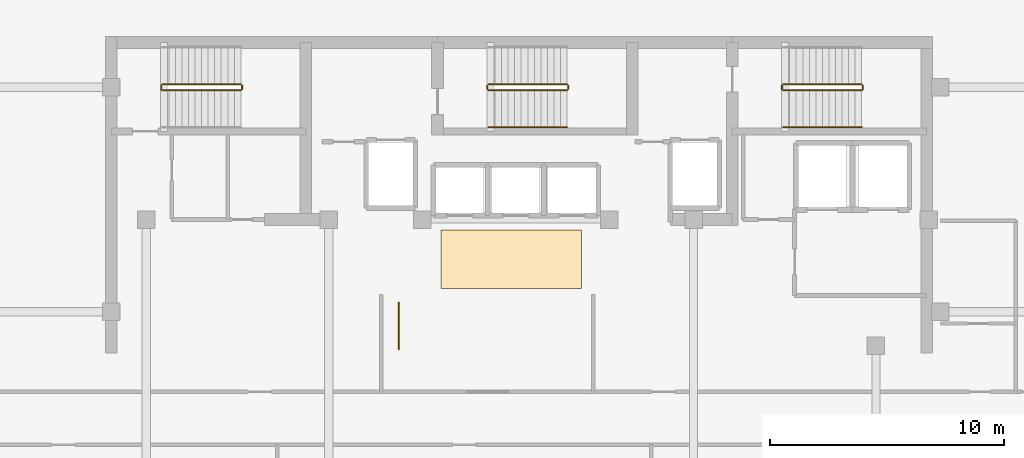
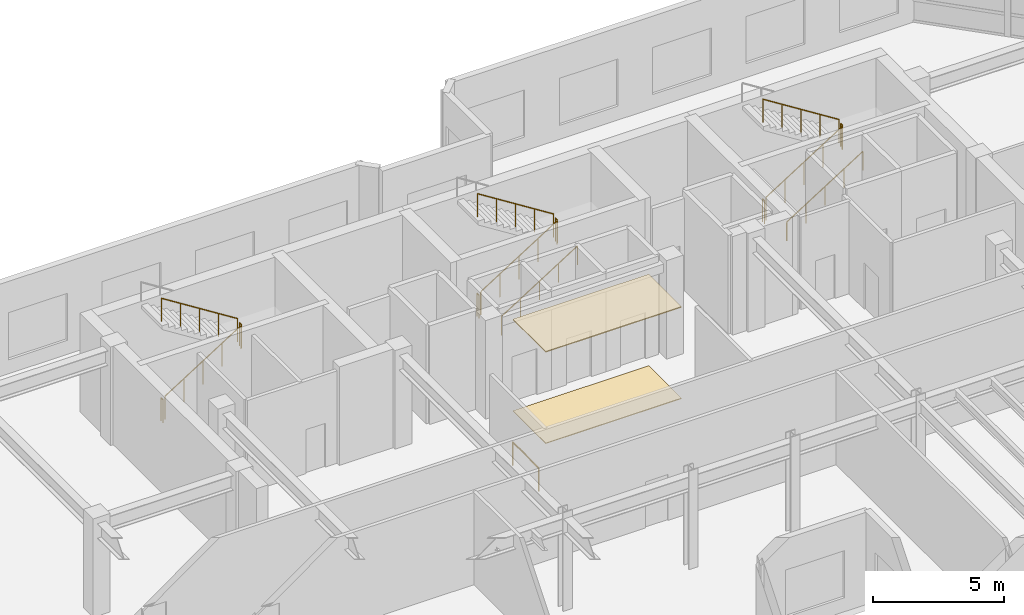
# One storey, part 11 of 12: 15 railings, 2 coverings.
"""IFC4 building model written with IfcOpenShell, lengths in metres."""

from ifc_helpers import new_model, si_unit, direction, frame, origin, origin_2d, place, context, subcontext, project, spatial, polyline, circle, outline, extrude, material, layer, layer_set, type_object, element, save


model = new_model("IFC4")

# Units and contexts
model_context = context("Model", 3, precision=1e-05, world=origin(), true_north=direction((0.0, 1.0)))
body_context = subcontext(model_context, "Body", "Model", "MODEL_VIEW")
ifc_project = project(units=[si_unit("LENGTHUNIT", "METRE"), si_unit("AREAUNIT", "SQUARE_METRE"), si_unit("VOLUMEUNIT", "CUBIC_METRE"), si_unit("PLANEANGLEUNIT", "RADIAN"), si_unit("MASSUNIT", "GRAM", prefix="KILO")], contexts=[model_context])

# Site, building, storey
site_placement = place(None, origin())
site = spatial("IfcSite", under=ifc_project, at=site_placement, CompositionType="ELEMENT")
building_placement = place(site_placement, origin())
building = spatial("IfcBuilding", under=site, at=building_placement, Name="Kestravale Grand Hotel", CompositionType="ELEMENT")
storey_placement = place(building_placement, frame((0.0, 0.0, 302.0)))
storey = spatial("IfcBuildingStorey", under=building, at=storey_placement, Name="L75", CompositionType="ELEMENT", Elevation=302.0)

# Coverings
ifc_material_1 = material(Name="Perforated gypsum and mineral-fibre acoustic ceiling", Category="other")
ifc_layer_1 = layer(ifc_material_1, 0.044921875)
ifc_layer_set_1 = layer_set([ifc_layer_1], Name="COV-INT-CEIL")
covering_type_1 = type_object("IfcCoveringType", Name="COV-INT-CEIL", PredefinedType="CEILING", material=ifc_layer_set_1)
covering_1_placement = place(storey_placement, frame((0.0, 0.0, 4.264892578125)))
element("IfcCovering", 1, at=covering_1_placement, inside=storey, type_object=covering_type_1, Name="L75 elevator lobby acoustic coffered ceiling", PredefinedType="CEILING", context=body_context, shape_type="SweptSolid", body=[
    extrude(outline(polyline([(36.0, 29.800048828125), (42.0, 29.800048828125), (42.0, 32.300048828125), (36.0, 32.300048828125), (36.0, 29.800048828125)])), origin(), (0.0, 0.0, 1.0), 0.045166015625),
])
ifc_material_2 = material(Name="Polished Art Deco brass-inlaid terrazzo flooring", Category="masonry")
ifc_layer_2 = layer(ifc_material_2, 0.034912109375)
ifc_layer_set_2 = layer_set([ifc_layer_2], Name="COV-INT-TERZ")
covering_type_2 = type_object("IfcCoveringType", Name="COV-INT-TERZ", PredefinedType="FLOORING", material=ifc_layer_set_2)
covering_2_placement = place(storey_placement, origin())
element("IfcCovering", 2, at=covering_2_placement, inside=storey, type_object=covering_type_2, Name="L75 elevator lobby brass-inlaid terrazzo floor", PredefinedType="FLOORING", context=body_context, shape_type="SweptSolid", body=[
    extrude(outline(polyline([(36.0, 29.800048828125), (42.0, 29.800048828125), (42.0, 32.300048828125), (36.0, 32.300048828125), (36.0, 29.800048828125)])), origin(), (0.0, 0.0, 1.0), 0.034912109375),
])

# Railings
ifc_material_3 = material(Name="Art Deco fluted bronze interior gallery balustrade", Category="steel")
railing_type_1 = type_object("IfcRailingType", Name="RL-INT-BAL1100", PredefinedType="BALUSTRADE", material=ifc_material_3)
railing_1_placement = place(storey_placement, frame((34.199951171875, 27.199951171875, 0.0)))
element("IfcRailing", 3, at=railing_1_placement, inside=storey, type_object=railing_type_1, Name="L75 Art Deco bronze concourse balustrade", PredefinedType="BALUSTRADE", context=body_context, shape_type="SweptSolid", body=[
    extrude(circle(Radius=0.02392578125, at=origin_2d()), frame((0.0, 0.0, 1.076171875), z_axis=(0.0, 1.0, 0.0), x_axis=(-1.0, 0.0, 0.0)), (0.0, 0.0, 1.0), 2.0),
    extrude(circle(Radius=0.02099609375, at=origin_2d()), origin(), (0.0, 0.0, 1.0), 1.052001953125),
    extrude(circle(Radius=0.02099609375, at=origin_2d()), frame((0.0, 2.0, 0.0)), (0.0, 0.0, 1.0), 1.052001953125),
])
ifc_material_4 = material(Name="Painted tubular steel stair well guard", Category="steel")
railing_type_2 = type_object("IfcRailingType", Name="RL-ST-GRD1100", PredefinedType="GUARDRAIL", material=ifc_material_4)
railing_2_placement = place(storey_placement, frame((24.080078125, 38.280029296875, 0.177001953125)))
element("IfcRailing", 4, at=railing_2_placement, inside=storey, type_object=railing_type_2, Name="L75 ST-1 stair guard 1", PredefinedType="GUARDRAIL", context=body_context, shape_type="SweptSolid", body=[
    extrude(circle(Radius=0.02392578125, at=origin_2d()), frame((0.0, 0.0, 1.076171875), z_axis=(0.845372108799, 0.0, 0.534177870812), x_axis=(0.0, 1.0, 0.0)), (0.0, 0.0, 1.0), 3.974365234375),
    extrude(circle(Radius=0.02099609375, at=origin_2d()), origin(), (0.0, 0.0, 1.0), 1.052001953125),
    extrude(circle(Radius=0.02099609375, at=origin_2d()), frame((0.83984375, 0.0, 0.53076171875)), (0.0, 0.0, 1.0), 1.052001953125),
    extrude(circle(Radius=0.02099609375, at=origin_2d()), frame((1.679931640625, 0.0, 1.0615234375)), (0.0, 0.0, 1.0), 1.052001953125),
    extrude(circle(Radius=0.02099609375, at=origin_2d()), frame((2.52001953125, 0.0, 1.59228515625)), (0.0, 0.0, 1.0), 1.052001953125),
    extrude(circle(Radius=0.02099609375, at=origin_2d()), frame((3.35986328125, 0.0, 2.123046875)), (0.0, 0.0, 1.0), 1.052001953125),
])
railing_3_placement = place(storey_placement, frame((27.489990234375, 38.330078125, 2.300048828125)))
element("IfcRailing", 5, at=railing_3_placement, inside=storey, type_object=railing_type_2, Name="L75 ST-1 stair guard 2", PredefinedType="GUARDRAIL", context=body_context, shape_type="SweptSolid", body=[
    extrude(circle(Radius=0.02392578125, at=origin_2d()), frame((0.0, 0.0, 1.076171875), z_axis=(0.0, 1.0, 0.0), x_axis=(-1.0, 0.0, 0.0)), (0.0, 0.0, 1.0), 0.14990234375),
    extrude(circle(Radius=0.02099609375, at=origin_2d()), origin(), (0.0, 0.0, 1.0), 1.052001953125),
    extrude(circle(Radius=0.02099609375, at=origin_2d()), frame((0.0, 0.14990234375, 0.0)), (0.0, 0.0, 1.0), 1.052001953125),
])
railing_4_placement = place(storey_placement, frame((27.43994140625, 38.530029296875, 2.476806640625)))
element("IfcRailing", 6, at=railing_4_placement, inside=storey, type_object=railing_type_2, Name="L75 ST-1 stair guard 3", PredefinedType="GUARDRAIL", context=body_context, shape_type="SweptSolid", body=[
    extrude(circle(Radius=0.02392578125, at=origin_2d()), frame((0.0, 0.0, 1.076171875), z_axis=(-0.845344368971, 0.0, 0.534221768416), x_axis=(0.0, -1.0, 0.0)), (0.0, 0.0, 1.0), 3.974609375),
    extrude(circle(Radius=0.02099609375, at=origin_2d()), origin(), (0.0, 0.0, 1.0), 1.052001953125),
    extrude(circle(Radius=0.02099609375, at=origin_2d()), frame((-0.83984375, 0.0, 0.53076171875)), (0.0, 0.0, 1.0), 1.052001953125),
    extrude(circle(Radius=0.02099609375, at=origin_2d()), frame((-1.679931640625, 0.0, 1.0615234375)), (0.0, 0.0, 1.0), 1.052001953125),
    extrude(circle(Radius=0.02099609375, at=origin_2d()), frame((-2.52001953125, 0.0, 1.592529296875)), (0.0, 0.0, 1.0), 1.052001953125),
    extrude(circle(Radius=0.02099609375, at=origin_2d()), frame((-3.35986328125, 0.0, 2.123291015625)), (0.0, 0.0, 1.0), 1.052001953125),
])
railing_5_placement = place(storey_placement, frame((24.030029296875, 38.330078125, 0.0)))
element("IfcRailing", 7, at=railing_5_placement, inside=storey, type_object=railing_type_2, Name="L75 ST-1 stair guard 4", PredefinedType="GUARDRAIL", context=body_context, shape_type="SweptSolid", body=[
    extrude(circle(Radius=0.02392578125, at=origin_2d()), frame((0.0, 0.0, 1.076171875), z_axis=(0.0, 1.0, 0.0), x_axis=(-1.0, 0.0, 0.0)), (0.0, 0.0, 1.0), 0.14990234375),
    extrude(circle(Radius=0.02099609375, at=origin_2d()), origin(), (0.0, 0.0, 1.0), 1.052001953125),
    extrude(circle(Radius=0.02099609375, at=origin_2d()), frame((0.0, 0.14990234375, 0.0)), (0.0, 0.0, 1.0), 1.052001953125),
])
railing_6_placement = place(storey_placement, frame((38.030029296875, 38.280029296875, 0.177001953125)))
element("IfcRailing", 8, at=railing_6_placement, inside=storey, type_object=railing_type_2, Name="L75 ST-2 stair guard 1", PredefinedType="GUARDRAIL", context=body_context, shape_type="SweptSolid", body=[
    extrude(circle(Radius=0.02392578125, at=origin_2d()), frame((0.0, 0.0, 1.076171875), z_axis=(0.845372108799, 0.0, 0.534177870812), x_axis=(0.0, 1.0, 0.0)), (0.0, 0.0, 1.0), 3.974365234375),
    extrude(circle(Radius=0.02099609375, at=origin_2d()), origin(), (0.0, 0.0, 1.0), 1.052001953125),
    extrude(circle(Radius=0.02099609375, at=origin_2d()), frame((0.83984375, 0.0, 0.53076171875)), (0.0, 0.0, 1.0), 1.052001953125),
    extrude(circle(Radius=0.02099609375, at=origin_2d()), frame((1.679931640625, 0.0, 1.0615234375)), (0.0, 0.0, 1.0), 1.052001953125),
    extrude(circle(Radius=0.02099609375, at=origin_2d()), frame((2.52001953125, 0.0, 1.59228515625)), (0.0, 0.0, 1.0), 1.052001953125),
    extrude(circle(Radius=0.02099609375, at=origin_2d()), frame((3.35986328125, 0.0, 2.123046875)), (0.0, 0.0, 1.0), 1.052001953125),
])
railing_7_placement = place(storey_placement, frame((41.43994140625, 38.330078125, 2.300048828125)))
element("IfcRailing", 9, at=railing_7_placement, inside=storey, type_object=railing_type_2, Name="L75 ST-2 stair guard 2", PredefinedType="GUARDRAIL", context=body_context, shape_type="SweptSolid", body=[
    extrude(circle(Radius=0.02392578125, at=origin_2d()), frame((0.0, 0.0, 1.076171875), z_axis=(0.0, 1.0, 0.0), x_axis=(-1.0, 0.0, 0.0)), (0.0, 0.0, 1.0), 0.14990234375),
    extrude(circle(Radius=0.02099609375, at=origin_2d()), origin(), (0.0, 0.0, 1.0), 1.052001953125),
    extrude(circle(Radius=0.02099609375, at=origin_2d()), frame((0.0, 0.14990234375, 0.0)), (0.0, 0.0, 1.0), 1.052001953125),
])
railing_8_placement = place(storey_placement, frame((41.389892578125, 38.530029296875, 2.476806640625)))
element("IfcRailing", 10, at=railing_8_placement, inside=storey, type_object=railing_type_2, Name="L75 ST-2 stair guard 3", PredefinedType="GUARDRAIL", context=body_context, shape_type="SweptSolid", body=[
    extrude(circle(Radius=0.02392578125, at=origin_2d()), frame((0.0, 0.0, 1.076171875), z_axis=(-0.845344368971, 0.0, 0.534221768416), x_axis=(0.0, -1.0, 0.0)), (0.0, 0.0, 1.0), 3.974609375),
    extrude(circle(Radius=0.02099609375, at=origin_2d()), origin(), (0.0, 0.0, 1.0), 1.052001953125),
    extrude(circle(Radius=0.02099609375, at=origin_2d()), frame((-0.83984375, 0.0, 0.53076171875)), (0.0, 0.0, 1.0), 1.052001953125),
    extrude(circle(Radius=0.02099609375, at=origin_2d()), frame((-1.679931640625, 0.0, 1.0615234375)), (0.0, 0.0, 1.0), 1.052001953125),
    extrude(circle(Radius=0.02099609375, at=origin_2d()), frame((-2.52001953125, 0.0, 1.592529296875)), (0.0, 0.0, 1.0), 1.052001953125),
    extrude(circle(Radius=0.02099609375, at=origin_2d()), frame((-3.35986328125, 0.0, 2.123291015625)), (0.0, 0.0, 1.0), 1.052001953125),
])
railing_9_placement = place(storey_placement, frame((37.97998046875, 38.330078125, 0.0)))
element("IfcRailing", 11, at=railing_9_placement, inside=storey, type_object=railing_type_2, Name="L75 ST-2 stair guard 4", PredefinedType="GUARDRAIL", context=body_context, shape_type="SweptSolid", body=[
    extrude(circle(Radius=0.02392578125, at=origin_2d()), frame((0.0, 0.0, 1.076171875), z_axis=(0.0, 1.0, 0.0), x_axis=(-1.0, 0.0, 0.0)), (0.0, 0.0, 1.0), 0.14990234375),
    extrude(circle(Radius=0.02099609375, at=origin_2d()), origin(), (0.0, 0.0, 1.0), 1.052001953125),
    extrude(circle(Radius=0.02099609375, at=origin_2d()), frame((0.0, 0.14990234375, 0.0)), (0.0, 0.0, 1.0), 1.052001953125),
])
railing_10_placement = place(storey_placement, frame((50.6298828125, 38.280029296875, 0.177001953125)))
element("IfcRailing", 12, at=railing_10_placement, inside=storey, type_object=railing_type_2, Name="L75 ST-3 stair guard 1", PredefinedType="GUARDRAIL", context=body_context, shape_type="SweptSolid", body=[
    extrude(circle(Radius=0.02392578125, at=origin_2d()), frame((0.0, 0.0, 1.076171875), z_axis=(0.845389635667, 0.0, 0.534150132366), x_axis=(0.0, 1.0, 0.0)), (0.0, 0.0, 1.0), 3.974609375),
    extrude(circle(Radius=0.02099609375, at=origin_2d()), origin(), (0.0, 0.0, 1.0), 1.052001953125),
    extrude(circle(Radius=0.02099609375, at=origin_2d()), frame((0.840087890625, 0.0, 0.53076171875)), (0.0, 0.0, 1.0), 1.052001953125),
    extrude(circle(Radius=0.02099609375, at=origin_2d()), frame((1.68017578125, 0.0, 1.0615234375)), (0.0, 0.0, 1.0), 1.052001953125),
    extrude(circle(Radius=0.02099609375, at=origin_2d()), frame((2.52001953125, 0.0, 1.59228515625)), (0.0, 0.0, 1.0), 1.052001953125),
    extrude(circle(Radius=0.02099609375, at=origin_2d()), frame((3.360107421875, 0.0, 2.123046875)), (0.0, 0.0, 1.0), 1.052001953125),
])
railing_11_placement = place(storey_placement, frame((54.0400390625, 38.330078125, 2.300048828125)))
element("IfcRailing", 13, at=railing_11_placement, inside=storey, type_object=railing_type_2, Name="L75 ST-3 stair guard 2", PredefinedType="GUARDRAIL", context=body_context, shape_type="SweptSolid", body=[
    extrude(circle(Radius=0.02392578125, at=origin_2d()), frame((0.0, 0.0, 1.076171875), z_axis=(0.0, 1.0, 0.0), x_axis=(-1.0, 0.0, 0.0)), (0.0, 0.0, 1.0), 0.14990234375),
    extrude(circle(Radius=0.02099609375, at=origin_2d()), origin(), (0.0, 0.0, 1.0), 1.052001953125),
    extrude(circle(Radius=0.02099609375, at=origin_2d()), frame((0.0, 0.14990234375, 0.0)), (0.0, 0.0, 1.0), 1.052001953125),
])
railing_12_placement = place(storey_placement, frame((53.989990234375, 38.530029296875, 2.476806640625)))
element("IfcRailing", 14, at=railing_12_placement, inside=storey, type_object=railing_type_2, Name="L75 ST-3 stair guard 3", PredefinedType="GUARDRAIL", context=body_context, shape_type="SweptSolid", body=[
    extrude(circle(Radius=0.02392578125, at=origin_2d()), frame((0.0, 0.0, 1.076171875), z_axis=(-0.845361898145, 0.0, 0.534194029511), x_axis=(0.0, -1.0, 0.0)), (0.0, 0.0, 1.0), 3.974853515625),
    extrude(circle(Radius=0.02099609375, at=origin_2d()), origin(), (0.0, 0.0, 1.0), 1.052001953125),
    extrude(circle(Radius=0.02099609375, at=origin_2d()), frame((-0.840087890625, 0.0, 0.53076171875)), (0.0, 0.0, 1.0), 1.052001953125),
    extrude(circle(Radius=0.02099609375, at=origin_2d()), frame((-1.68017578125, 0.0, 1.0615234375)), (0.0, 0.0, 1.0), 1.052001953125),
    extrude(circle(Radius=0.02099609375, at=origin_2d()), frame((-2.52001953125, 0.0, 1.592529296875)), (0.0, 0.0, 1.0), 1.052001953125),
    extrude(circle(Radius=0.02099609375, at=origin_2d()), frame((-3.360107421875, 0.0, 2.123291015625)), (0.0, 0.0, 1.0), 1.052001953125),
])
railing_13_placement = place(storey_placement, frame((50.580078125, 38.330078125, 0.0)))
element("IfcRailing", 15, at=railing_13_placement, inside=storey, type_object=railing_type_2, Name="L75 ST-3 stair guard 4", PredefinedType="GUARDRAIL", context=body_context, shape_type="SweptSolid", body=[
    extrude(circle(Radius=0.02392578125, at=origin_2d()), frame((0.0, 0.0, 1.076171875), z_axis=(0.0, 1.0, 0.0), x_axis=(-1.0, 0.0, 0.0)), (0.0, 0.0, 1.0), 0.14990234375),
    extrude(circle(Radius=0.02099609375, at=origin_2d()), origin(), (0.0, 0.0, 1.0), 1.052001953125),
    extrude(circle(Radius=0.02099609375, at=origin_2d()), frame((0.0, 0.14990234375, 0.0)), (0.0, 0.0, 1.0), 1.052001953125),
])
ifc_material_5 = material(Name="Brushed stainless steel wall handrail", Category="steel")
railing_type_3 = type_object("IfcRailingType", Name="RL-ST-HND900", PredefinedType="HANDRAIL", material=ifc_material_5)
railing_14_placement = place(storey_placement, frame((38.030029296875, 36.699951171875, 0.177001953125)))
element("IfcRailing", 16, at=railing_14_placement, inside=storey, type_object=railing_type_3, Name="L75 ST-2 stair handrail 1", PredefinedType="HANDRAIL", context=body_context, shape_type="SweptSolid", body=[
    extrude(circle(Radius=0.02392578125, at=origin_2d()), frame((0.0, 0.0, 0.8759765625), z_axis=(0.845372108799, 0.0, 0.534177870812), x_axis=(0.0, 1.0, 0.0)), (0.0, 0.0, 1.0), 3.974365234375),
    extrude(circle(Radius=0.02099609375, at=origin_2d()), origin(), (0.0, 0.0, 1.0), 0.851806640625),
    extrude(circle(Radius=0.02099609375, at=origin_2d()), frame((0.83984375, 0.0, 0.53076171875)), (0.0, 0.0, 1.0), 0.851806640625),
    extrude(circle(Radius=0.02099609375, at=origin_2d()), frame((1.679931640625, 0.0, 1.0615234375)), (0.0, 0.0, 1.0), 0.851806640625),
    extrude(circle(Radius=0.02099609375, at=origin_2d()), frame((2.52001953125, 0.0, 1.59228515625)), (0.0, 0.0, 1.0), 0.851806640625),
    extrude(circle(Radius=0.02099609375, at=origin_2d()), frame((3.35986328125, 0.0, 2.123046875)), (0.0, 0.0, 1.0), 0.851806640625),
])
railing_15_placement = place(storey_placement, frame((50.6298828125, 36.699951171875, 0.177001953125)))
element("IfcRailing", 17, at=railing_15_placement, inside=storey, type_object=railing_type_3, Name="L75 ST-3 stair handrail 1", PredefinedType="HANDRAIL", context=body_context, shape_type="SweptSolid", body=[
    extrude(circle(Radius=0.02392578125, at=origin_2d()), frame((0.0, 0.0, 0.8759765625), z_axis=(0.845389635667, 0.0, 0.534150132366), x_axis=(0.0, 1.0, 0.0)), (0.0, 0.0, 1.0), 3.974609375),
    extrude(circle(Radius=0.02099609375, at=origin_2d()), origin(), (0.0, 0.0, 1.0), 0.851806640625),
    extrude(circle(Radius=0.02099609375, at=origin_2d()), frame((0.840087890625, 0.0, 0.53076171875)), (0.0, 0.0, 1.0), 0.851806640625),
    extrude(circle(Radius=0.02099609375, at=origin_2d()), frame((1.68017578125, 0.0, 1.0615234375)), (0.0, 0.0, 1.0), 0.851806640625),
    extrude(circle(Radius=0.02099609375, at=origin_2d()), frame((2.52001953125, 0.0, 1.59228515625)), (0.0, 0.0, 1.0), 0.851806640625),
    extrude(circle(Radius=0.02099609375, at=origin_2d()), frame((3.360107421875, 0.0, 2.123046875)), (0.0, 0.0, 1.0), 0.851806640625),
])

save(model, "model.ifc")
